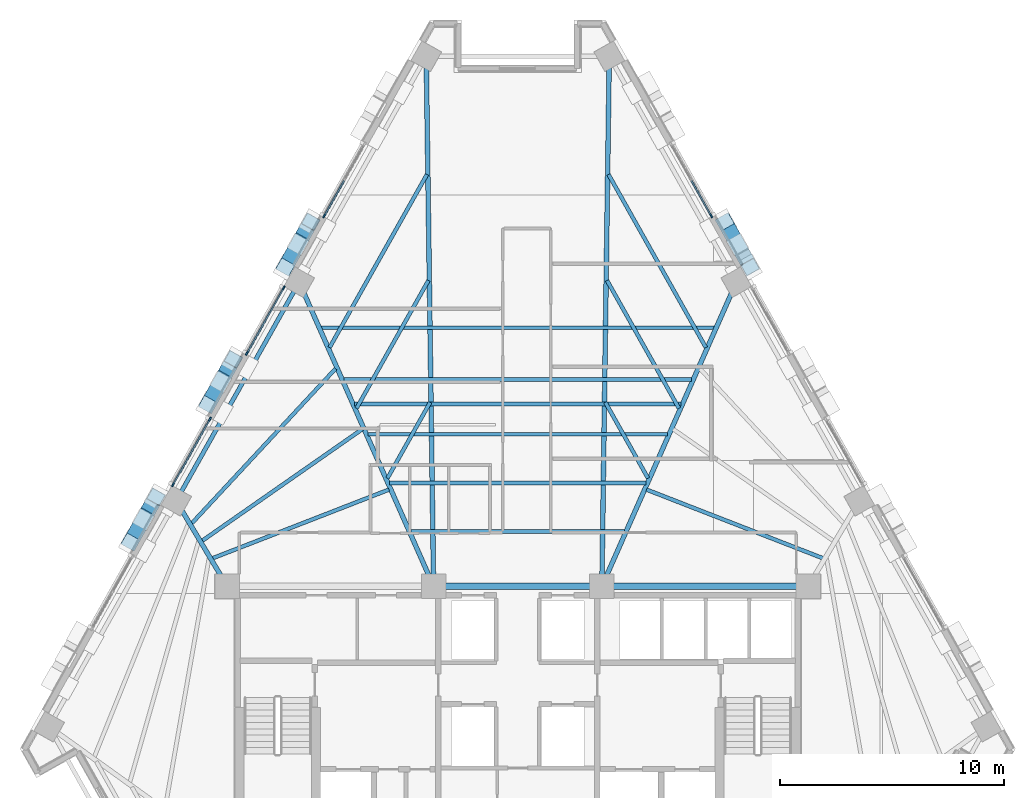
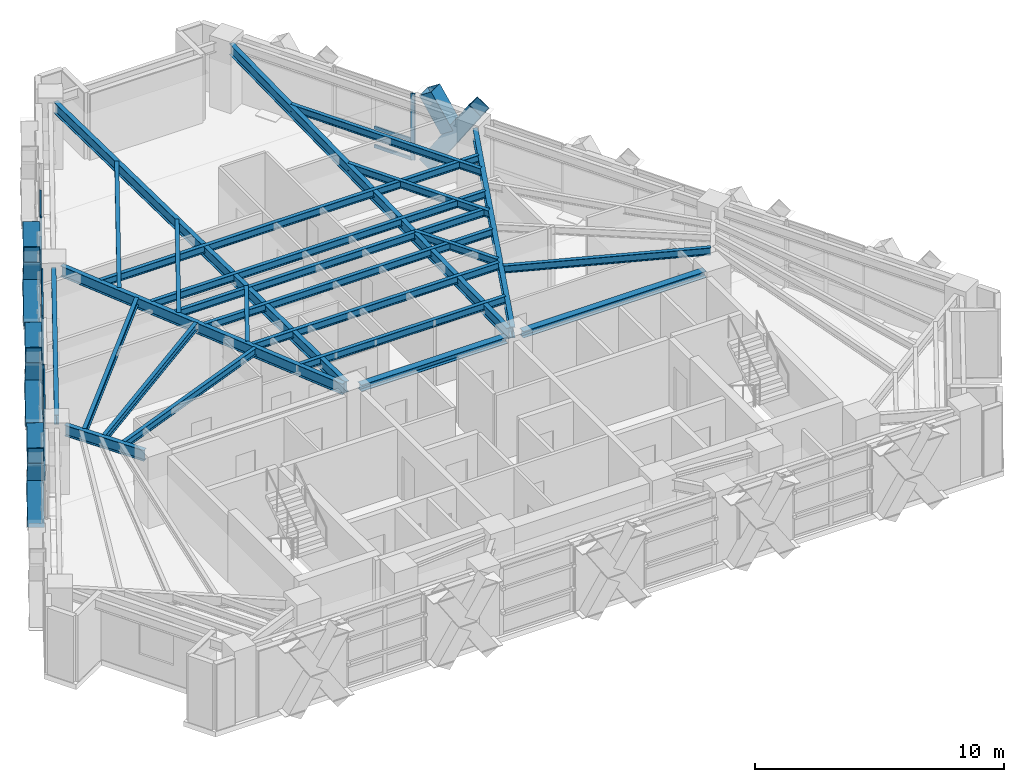
# One storey, part 3 of 14: 28 members, 24 beams, 4 elements without a shape of their own.
"""IFC4 building model written with IfcOpenShell, lengths in metres."""

from ifc_helpers import new_model, si_unit, direction, frame, origin, origin_2d, place, context, subcontext, project, spatial, rectangle, hollow_rectangle, i_section, extrude, material, material_profile, profile_set, type_object, element, aggregate, save


model = new_model("IFC4")

# Units and contexts
model_context = context("Model", 3, precision=1e-05, world=origin(), true_north=direction((0.0, 1.0)))
body_context = subcontext(model_context, "Body", "Model", "MODEL_VIEW")
ifc_project = project(units=[si_unit("LENGTHUNIT", "METRE"), si_unit("AREAUNIT", "SQUARE_METRE"), si_unit("VOLUMEUNIT", "CUBIC_METRE"), si_unit("PLANEANGLEUNIT", "RADIAN"), si_unit("MASSUNIT", "GRAM", prefix="KILO")], contexts=[model_context])

# Site, building, storey
site_placement = place(None, origin())
site = spatial("IfcSite", under=ifc_project, at=site_placement, CompositionType="ELEMENT")
building_placement = place(site_placement, origin())
building = spatial("IfcBuilding", under=site, at=building_placement, Name="Quenlor Broadcast Tower", CompositionType="ELEMENT")
storey_placement = place(building_placement, frame((0.0, 0.0, 133.5)))
storey = spatial("IfcBuildingStorey", under=building, at=storey_placement, Name="L36", CompositionType="ELEMENT", Elevation=133.5)

# Curtain wall, member
ifc_material_1 = material(Name="Architectural Terracotta and Low-E Glazing", Category="masonry")
curtain_wall_type = type_object("IfcCurtainWallType", Name="Unitised Terracotta Curtain Wall System Z3", PredefinedType="NOTDEFINED", material=ifc_material_1)
curtain_wall_1_placement = place(storey_placement, origin())
curtain_wall_1 = element("IfcCurtainWall", 1, at=curtain_wall_1_placement, inside=storey, type_object=curtain_wall_type, Name="L36 Curtain Wall CW3 (L36-NEA-G1)", PredefinedType="NOTDEFINED")
ifc_material_2 = material(Name="Aluminium 6063-T6", Category="aluminium")
ifc_material_profile_1 = material_profile(ifc_material_2, rectangle(XDim=0.070068359375, YDim=0.18994140625, at=origin_2d()))
ifc_profile_set_1 = profile_set([ifc_material_profile_1], Name="Aluminium 6063-T6 MULL70x190")
member_type_1 = type_object("IfcMemberType", Name="CW3 Aluminium Mullion MULL_CW3", PredefinedType="MULLION", material=ifc_profile_set_1)
member_1_placement = place(storey_placement, frame((8.62353515625, 11.71240234375, 0.0), z_axis=(0.0, 0.0, 1.0), x_axis=(0.871570530637, 0.490270139949, 0.0)))
member_1 = element("IfcMember", 2, at=member_1_placement, type_object=member_type_1, Name="CW3 mullion 3", PredefinedType="MULLION", context=body_context, shape_type="SweptSolid", body=[
    extrude(rectangle(XDim=0.070068359375, YDim=0.18994140625, at=origin_2d()), origin(), (0.0, 0.0, 1.0), 3.25),
])

curtain_wall_2_placement = place(storey_placement, origin())
curtain_wall_2 = element("IfcCurtainWall", 3, at=curtain_wall_2_placement, inside=storey, type_object=curtain_wall_type, Name="L36 Curtain Wall CW3 (L36-NWC-G1)", PredefinedType="NOTDEFINED")
member_2_placement = place(storey_placement, frame((-8.62353515625, 11.71240234375, 0.0), z_axis=(0.0, 0.0, 1.0), x_axis=(-0.871570530637, 0.490270139949, 0.0)))
member_2 = element("IfcMember", 4, at=member_2_placement, type_object=member_type_1, Name="CW3 mullion 1", PredefinedType="MULLION", context=body_context, shape_type="SweptSolid", body=[
    extrude(rectangle(XDim=0.070068359375, YDim=0.18994140625, at=origin_2d()), origin(), (0.0, 0.0, 1.0), 3.25),
])

# Curtain wall, members
curtain_wall_3_placement = place(storey_placement, origin())
curtain_wall_3 = element("IfcCurtainWall", 5, at=curtain_wall_3_placement, inside=storey, type_object=curtain_wall_type, Name="L36 Curtain Wall CW3 (L36-NW-G1)", PredefinedType="NOTDEFINED")
member_3_placement = place(storey_placement, frame((-15.365966796875, -0.274169921875, 0.0), z_axis=(0.0, 0.0, 1.0), x_axis=(-0.871571633105, 0.490268180048, 0.0)))
member_3 = element("IfcMember", 6, at=member_3_placement, type_object=member_type_1, Name="CW3 mullion 1", PredefinedType="MULLION", context=body_context, shape_type="SweptSolid", body=[
    extrude(rectangle(XDim=0.070068359375, YDim=0.18994140625, at=origin_2d()), origin(), (0.0, 0.0, 1.0), 3.25),
])
member_4_placement = place(storey_placement, frame((-13.723388671875, 2.64599609375, 0.0), z_axis=(0.0, 0.0, 1.0), x_axis=(-0.871571633105, 0.490268180048, 0.0)))
member_4 = element("IfcMember", 7, at=member_4_placement, type_object=member_type_1, Name="CW3 mullion 2", PredefinedType="MULLION", context=body_context, shape_type="SweptSolid", body=[
    extrude(rectangle(XDim=0.070068359375, YDim=0.18994140625, at=origin_2d()), origin(), (0.0, 0.0, 1.0), 3.25),
])

curtain_wall_4_placement = place(storey_placement, origin())
curtain_wall_4 = element("IfcCurtainWall", 8, at=curtain_wall_4_placement, inside=storey, type_object=curtain_wall_type, Name="L36 Curtain Wall CW3 (L36-NW-G2)", PredefinedType="NOTDEFINED")
member_5_placement = place(storey_placement, frame((-12.071533203125, 5.582275390625, 0.0), z_axis=(0.0, 0.0, 1.0), x_axis=(-0.871578660222, 0.490255687418, 0.0)))
member_5 = element("IfcMember", 9, at=member_5_placement, type_object=member_type_1, Name="CW3 mullion 1", PredefinedType="MULLION", context=body_context, shape_type="SweptSolid", body=[
    extrude(rectangle(XDim=0.070068359375, YDim=0.18994140625, at=origin_2d()), origin(), (0.0, 0.0, 1.0), 3.25),
])
member_6_placement = place(storey_placement, frame((-10.428955078125, 8.50244140625, 0.0), z_axis=(0.0, 0.0, 1.0), x_axis=(-0.871578660222, 0.490255687418, 0.0)))
member_6 = element("IfcMember", 10, at=member_6_placement, type_object=member_type_1, Name="CW3 mullion 2", PredefinedType="MULLION", context=body_context, shape_type="SweptSolid", body=[
    extrude(rectangle(XDim=0.070068359375, YDim=0.18994140625, at=origin_2d()), origin(), (0.0, 0.0, 1.0), 3.25),
])

# Member
ifc_material_3 = material(Name="Aluminium 6063-T6", Category="aluminium")
ifc_material_profile_2 = material_profile(ifc_material_3, rectangle(XDim=0.070068359375, YDim=0.155029296875, at=origin_2d()))
ifc_profile_set_2 = profile_set([ifc_material_profile_2], Name="Aluminium 6063-T6 TRAN70x155")
member_type_2 = type_object("IfcMemberType", Name="CW3 Aluminium Transom TRAN_CW3", PredefinedType="USERDEFINED", material=ifc_profile_set_2)
member_7_placement = place(storey_placement, frame((7.742431640625, 13.278564453125, 0.034912109375), z_axis=(0.490353334151, -0.871523727553, 0.0), x_axis=(0.871523727553, 0.490353334151, 0.0)))
member_7 = element("IfcMember", 11, at=member_7_placement, type_object=member_type_2, Name="CW3 transom 2.1", ObjectType="TRANSOM", PredefinedType="USERDEFINED", context=body_context, shape_type="SweptSolid", body=[
    extrude(rectangle(XDim=0.070068359375, YDim=0.155029296875, at=origin_2d()), origin(), (0.0, 0.0, 1.0), 1.761962890625),
])

member_8_placement = place(storey_placement, frame((7.742431640625, 13.278564453125, 0.949951171875), z_axis=(0.490353334151, -0.871523727553, 0.0), x_axis=(0.871523727553, 0.490353334151, 0.0)))
member_8 = element("IfcMember", 12, at=member_8_placement, type_object=member_type_2, Name="CW3 transom 2.2", ObjectType="TRANSOM", PredefinedType="USERDEFINED", context=body_context, shape_type="SweptSolid", body=[
    extrude(rectangle(XDim=0.070068359375, YDim=0.155029296875, at=origin_2d()), origin(), (0.0, 0.0, 1.0), 1.761962890625),
])

aggregate(curtain_wall_1, [member_1, member_7, member_8])

member_9_placement = place(storey_placement, frame((-8.6064453125, 11.742919921875, 0.034912109375), z_axis=(0.490353334151, 0.871523727553, 0.0), x_axis=(-0.871523727553, 0.490353334151, 0.0)))
member_9 = element("IfcMember", 13, at=member_9_placement, type_object=member_type_2, Name="CW3 transom 1.1", ObjectType="TRANSOM", PredefinedType="USERDEFINED", context=body_context, shape_type="SweptSolid", body=[
    extrude(rectangle(XDim=0.070068359375, YDim=0.155029296875, at=origin_2d()), origin(), (0.0, 0.0, 1.0), 1.761962890625),
])

member_10_placement = place(storey_placement, frame((-8.6064453125, 11.742919921875, 0.949951171875), z_axis=(0.490353334151, 0.871523727553, 0.0), x_axis=(-0.871523727553, 0.490353334151, 0.0)))
member_10 = element("IfcMember", 14, at=member_10_placement, type_object=member_type_2, Name="CW3 transom 1.2", ObjectType="TRANSOM", PredefinedType="USERDEFINED", context=body_context, shape_type="SweptSolid", body=[
    extrude(rectangle(XDim=0.070068359375, YDim=0.155029296875, at=origin_2d()), origin(), (0.0, 0.0, 1.0), 1.761962890625),
])

member_11_placement = place(storey_placement, frame((-8.6064453125, 11.742919921875, 3.215087890625), z_axis=(0.490353334151, 0.871523727553, 0.0), x_axis=(-0.871523727553, 0.490353334151, 0.0)))
member_11 = element("IfcMember", 15, at=member_11_placement, type_object=member_type_2, Name="CW3 transom 1.3", ObjectType="TRANSOM", PredefinedType="USERDEFINED", context=body_context, shape_type="SweptSolid", body=[
    extrude(rectangle(XDim=0.070068359375, YDim=0.155029296875, at=origin_2d()), origin(), (0.0, 0.0, 1.0), 1.761962890625),
])

aggregate(curtain_wall_2, [member_2, member_9, member_10, member_11])

member_12_placement = place(storey_placement, frame((-15.348876953125, -0.24365234375, 0.034912109375), z_axis=(0.490293039863, 0.871557648731, 0.0), x_axis=(-0.871557648731, 0.490293039863, 0.0)))
member_12 = element("IfcMember", 16, at=member_12_placement, type_object=member_type_2, Name="CW3 transom 1.1", ObjectType="TRANSOM", PredefinedType="USERDEFINED", context=body_context, shape_type="SweptSolid", body=[
    extrude(rectangle(XDim=0.070068359375, YDim=0.155029296875, at=origin_2d()), origin(), (0.0, 0.0, 1.0), 3.280517578125),
])

member_13_placement = place(storey_placement, frame((-15.348876953125, -0.24365234375, 0.949951171875), z_axis=(0.490293039863, 0.871557648731, 0.0), x_axis=(-0.871557648731, 0.490293039863, 0.0)))
member_13 = element("IfcMember", 17, at=member_13_placement, type_object=member_type_2, Name="CW3 transom 1.2", ObjectType="TRANSOM", PredefinedType="USERDEFINED", context=body_context, shape_type="SweptSolid", body=[
    extrude(rectangle(XDim=0.070068359375, YDim=0.155029296875, at=origin_2d()), origin(), (0.0, 0.0, 1.0), 3.280517578125),
])

member_14_placement = place(storey_placement, frame((-15.348876953125, -0.24365234375, 3.215087890625), z_axis=(0.490293039863, 0.871557648731, 0.0), x_axis=(-0.871557648731, 0.490293039863, 0.0)))
member_14 = element("IfcMember", 18, at=member_14_placement, type_object=member_type_2, Name="CW3 transom 1.3", ObjectType="TRANSOM", PredefinedType="USERDEFINED", context=body_context, shape_type="SweptSolid", body=[
    extrude(rectangle(XDim=0.070068359375, YDim=0.155029296875, at=origin_2d()), origin(), (0.0, 0.0, 1.0), 3.280517578125),
])

aggregate(curtain_wall_3, [member_3, member_4, member_12, member_13, member_14])

member_15_placement = place(storey_placement, frame((-12.054443359375, 5.61279296875, 0.034912109375), z_axis=(0.490236504766, 0.871589450025, 0.0), x_axis=(-0.871589450025, 0.490236504766, 0.0)))
member_15 = element("IfcMember", 19, at=member_15_placement, type_object=member_type_2, Name="CW3 transom 1.1", ObjectType="TRANSOM", PredefinedType="USERDEFINED", context=body_context, shape_type="SweptSolid", body=[
    extrude(rectangle(XDim=0.070068359375, YDim=0.155029296875, at=origin_2d()), origin(), (0.0, 0.0, 1.0), 3.2802734375),
])

member_16_placement = place(storey_placement, frame((-12.054443359375, 5.61279296875, 0.949951171875), z_axis=(0.490236504766, 0.871589450025, 0.0), x_axis=(-0.871589450025, 0.490236504766, 0.0)))
member_16 = element("IfcMember", 20, at=member_16_placement, type_object=member_type_2, Name="CW3 transom 1.2", ObjectType="TRANSOM", PredefinedType="USERDEFINED", context=body_context, shape_type="SweptSolid", body=[
    extrude(rectangle(XDim=0.070068359375, YDim=0.155029296875, at=origin_2d()), origin(), (0.0, 0.0, 1.0), 3.2802734375),
])

member_17_placement = place(storey_placement, frame((-12.054443359375, 5.61279296875, 3.215087890625), z_axis=(0.490236504766, 0.871589450025, 0.0), x_axis=(-0.871589450025, 0.490236504766, 0.0)))
member_17 = element("IfcMember", 21, at=member_17_placement, type_object=member_type_2, Name="CW3 transom 1.3", ObjectType="TRANSOM", PredefinedType="USERDEFINED", context=body_context, shape_type="SweptSolid", body=[
    extrude(rectangle(XDim=0.070068359375, YDim=0.155029296875, at=origin_2d()), origin(), (0.0, 0.0, 1.0), 3.2802734375),
])

aggregate(curtain_wall_4, [member_5, member_6, member_15, member_16, member_17])

# Beams
ifc_material_4 = material(Name="Steel S355", Category="steel")
ifc_material_profile_3 = material_profile(ifc_material_4, i_section(OverallWidth=0.304931640625, OverallDepth=0.30810546875, WebThickness=0.010009765625, FlangeThickness=0.015380859375, FilletRadius=0.0166015625, at=origin_2d()))
ifc_profile_set_3 = profile_set([ifc_material_profile_3], Name="Steel S355 310UC96.8")
beam_type_1 = type_object("IfcBeamType", Name="Core Header Beam Steel S355 310UC96.8", PredefinedType="BEAM", material=ifc_profile_set_3)
beam_1_placement = place(storey_placement, frame((-3.389892578125, -4.800048828125, 3.095947265625), z_axis=(1.0, 0.0, 0.0), x_axis=(0.0, 1.0, 0.0)))
element("IfcBeam", 22, at=beam_1_placement, inside=storey, type_object=beam_type_1, Name="L36 Core Header Beam 2", PredefinedType="BEAM", context=body_context, shape_type="SweptSolid", body=[
    extrude(i_section(OverallWidth=0.304931640625, OverallDepth=0.30810546875, WebThickness=0.010009765625, FlangeThickness=0.015380859375, FilletRadius=0.0166015625, at=origin_2d()), origin(), (0.0, 0.0, 1.0), 6.77978515625),
])
ifc_material_5 = material(Name="Steel S355", Category="steel")
ifc_material_profile_4 = material_profile(ifc_material_5, i_section(OverallWidth=0.306884765625, OverallDepth=0.314697265625, WebThickness=0.011962890625, FlangeThickness=0.018798828125, FilletRadius=0.0166015625, at=origin_2d()))
ifc_profile_set_4 = profile_set([ifc_material_profile_4], Name="Steel S355 310UC118")
beam_type_2 = type_object("IfcBeamType", Name="Core Tie Beam Steel S355 310UC118", PredefinedType="BEAM", material=ifc_profile_set_4)
beam_2_placement = place(storey_placement, frame((4.110107421875, -4.800048828125, 3.0927734375), z_axis=(1.0, 0.0, 0.0), x_axis=(0.0, 1.0, 0.0)))
element("IfcBeam", 23, at=beam_2_placement, inside=storey, type_object=beam_type_2, Name="L36 Core Tie Beam 3", PredefinedType="BEAM", context=body_context, shape_type="SweptSolid", body=[
    extrude(i_section(OverallWidth=0.306884765625, OverallDepth=0.314697265625, WebThickness=0.011962890625, FlangeThickness=0.018798828125, FilletRadius=0.0166015625, at=origin_2d()), origin(), (0.0, 0.0, 1.0), 8.47998046875),
])

# Members
ifc_material_6 = material(Name="Steel S355", Category="steel")
ifc_material_profile_5 = material_profile(ifc_material_6, hollow_rectangle(XDim=0.679931640625, YDim=0.679931640625, WallThickness=0.02490234375, at=origin_2d()))
ifc_profile_set_5 = profile_set([ifc_material_profile_5], Name="Steel S355 RHS680x680x25")
member_type_3 = type_object("IfcMemberType", Name="Perimeter Diagonal Lattice Brace Z3-Z4 Steel S355 RHS680x25", PredefinedType="BRACE", material=ifc_profile_set_5)
member_18_placement = place(storey_placement, frame((9.225830078125, 11.447265625, -0.1201171875), z_axis=(0.27060310517, -0.481001091283, 0.833913610428), x_axis=(0.871544572467, 0.490316283845, 0.0)))
element("IfcMember", 24, at=member_18_placement, inside=storey, type_object=member_type_3, Name="L36 Perimeter Diamond Lattice NE-C2XA", PredefinedType="BRACE", context=body_context, shape_type="SweptSolid", body=[
    extrude(hollow_rectangle(XDim=0.679931640625, YDim=0.679931640625, WallThickness=0.02490234375, at=origin_2d()), origin(), (0.0, 0.0, 1.0), 4.197021484375),
])
member_19_placement = place(storey_placement, frame((9.72607421875, 10.55810546875, 1.83837890625), z_axis=(-0.270616433058, 0.481007832697, 0.833905396938), x_axis=(-0.871537189362, -0.490329407194, 0.0)))
element("IfcMember", 25, at=member_19_placement, inside=storey, type_object=member_type_3, Name="L36 Perimeter Diamond Lattice NE-C2XB2", PredefinedType="BRACE", context=body_context, shape_type="SweptSolid", body=[
    extrude(hollow_rectangle(XDim=0.679931640625, YDim=0.679931640625, WallThickness=0.02490234375, at=origin_2d()), origin(), (0.0, 0.0, 1.0), 1.8486328125),
])
member_20_placement = place(storey_placement, frame((-17.257568359375, -2.83154296875, -0.1201171875), z_axis=(0.2705491942, 0.481008661973, 0.833926735766), x_axis=(-0.871589611547, 0.490236217596, 0.0)))
element("IfcMember", 26, at=member_20_placement, inside=storey, type_object=member_type_3, Name="L36 Perimeter Diamond Lattice NW-C2XA", PredefinedType="BRACE", context=body_context, shape_type="SweptSolid", body=[
    extrude(hollow_rectangle(XDim=0.679931640625, YDim=0.679931640625, WallThickness=0.02490234375, at=origin_2d()), origin(), (0.0, 0.0, 1.0), 4.197021484375),
])
member_21_placement = place(storey_placement, frame((-16.1220703125, -0.812744140625, -0.1201171875), z_axis=(-0.270616433058, -0.481007832697, 0.833905396938), x_axis=(0.871537189362, -0.490329407194, 0.0)))
element("IfcMember", 27, at=member_21_placement, inside=storey, type_object=member_type_3, Name="L36 Perimeter Diamond Lattice NW-C2XB1", PredefinedType="BRACE", context=body_context, shape_type="SweptSolid", body=[
    extrude(hollow_rectangle(XDim=0.679931640625, YDim=0.679931640625, WallThickness=0.02490234375, at=origin_2d()), origin(), (0.0, 0.0, 1.0), 1.8486328125),
])
member_22_placement = place(storey_placement, frame((-16.757568359375, -1.9423828125, 1.83837890625), z_axis=(-0.270494026149, -0.481025021111, 0.833935195853), x_axis=(0.871639445711, -0.490147607034, 0.0)))
element("IfcMember", 28, at=member_22_placement, inside=storey, type_object=member_type_3, Name="L36 Perimeter Diamond Lattice NW-C2XB2", PredefinedType="BRACE", context=body_context, shape_type="SweptSolid", body=[
    extrude(hollow_rectangle(XDim=0.679931640625, YDim=0.679931640625, WallThickness=0.02490234375, at=origin_2d()), origin(), (0.0, 0.0, 1.0), 1.848388671875),
])
member_23_placement = place(storey_placement, frame((-13.8095703125, 3.298583984375, -0.1201171875), z_axis=(0.270556764115, 0.480963948764, 0.833950068878), x_axis=(-0.871564276035, 0.49028125881, 0.0)))
element("IfcMember", 29, at=member_23_placement, inside=storey, type_object=member_type_3, Name="L36 Perimeter Diamond Lattice NW-C3XA", PredefinedType="BRACE", context=body_context, shape_type="SweptSolid", body=[
    extrude(hollow_rectangle(XDim=0.679931640625, YDim=0.679931640625, WallThickness=0.02490234375, at=origin_2d()), origin(), (0.0, 0.0, 1.0), 4.19677734375),
])
member_24_placement = place(storey_placement, frame((-12.674072265625, 5.317138671875, -0.1201171875), z_axis=(-0.270616433058, -0.481007832697, 0.833905396938), x_axis=(0.871537189362, -0.490329407194, 0.0)))
element("IfcMember", 30, at=member_24_placement, inside=storey, type_object=member_type_3, Name="L36 Perimeter Diamond Lattice NW-C3XB1", PredefinedType="BRACE", context=body_context, shape_type="SweptSolid", body=[
    extrude(hollow_rectangle(XDim=0.679931640625, YDim=0.679931640625, WallThickness=0.02490234375, at=origin_2d()), origin(), (0.0, 0.0, 1.0), 1.8486328125),
])
member_25_placement = place(storey_placement, frame((-13.309326171875, 4.1875, 1.83837890625), z_axis=(-0.270633624024, -0.480906307989, 0.833958370954), x_axis=(0.871479637717, -0.49043168846, 0.0)))
element("IfcMember", 31, at=member_25_placement, inside=storey, type_object=member_type_3, Name="L36 Perimeter Diamond Lattice NW-C3XB2", PredefinedType="BRACE", context=body_context, shape_type="SweptSolid", body=[
    extrude(hollow_rectangle(XDim=0.679931640625, YDim=0.679931640625, WallThickness=0.02490234375, at=origin_2d()), origin(), (0.0, 0.0, 1.0), 1.848388671875),
])
member_26_placement = place(storey_placement, frame((-10.361572265625, 9.428466796875, -0.1201171875), z_axis=(0.27060310517, 0.481001091283, 0.833913610428), x_axis=(-0.871544572467, 0.490316283845, 0.0)))
element("IfcMember", 32, at=member_26_placement, inside=storey, type_object=member_type_3, Name="L36 Perimeter Diamond Lattice NW-C4XA", PredefinedType="BRACE", context=body_context, shape_type="SweptSolid", body=[
    extrude(hollow_rectangle(XDim=0.679931640625, YDim=0.679931640625, WallThickness=0.02490234375, at=origin_2d()), origin(), (0.0, 0.0, 1.0), 4.197021484375),
])
member_27_placement = place(storey_placement, frame((-9.225830078125, 11.447265625, -0.1201171875), z_axis=(-0.270616433058, -0.481007832697, 0.833905396938), x_axis=(0.871537189362, -0.490329407194, 0.0)))
element("IfcMember", 33, at=member_27_placement, inside=storey, type_object=member_type_3, Name="L36 Perimeter Diamond Lattice NW-C4XB1", PredefinedType="BRACE", context=body_context, shape_type="SweptSolid", body=[
    extrude(hollow_rectangle(XDim=0.679931640625, YDim=0.679931640625, WallThickness=0.02490234375, at=origin_2d()), origin(), (0.0, 0.0, 1.0), 1.8486328125),
])
member_28_placement = place(storey_placement, frame((-9.861328125, 10.3173828125, 1.83837890625), z_axis=(-0.270633624024, -0.480906307989, 0.833958370954), x_axis=(0.871479637717, -0.49043168846, 0.0)))
element("IfcMember", 34, at=member_28_placement, inside=storey, type_object=member_type_3, Name="L36 Perimeter Diamond Lattice NW-C4XB2", PredefinedType="BRACE", context=body_context, shape_type="SweptSolid", body=[
    extrude(hollow_rectangle(XDim=0.679931640625, YDim=0.679931640625, WallThickness=0.02490234375, at=origin_2d()), origin(), (0.0, 0.0, 1.0), 1.848388671875),
])

# Beams
ifc_material_7 = material(Name="Steel S355", Category="steel")
ifc_material_profile_6 = material_profile(ifc_material_7, i_section(OverallWidth=0.19091796875, OverallDepth=0.46044921875, WebThickness=0.010009765625, FlangeThickness=0.01611328125, FilletRadius=0.011474609375, at=origin_2d()))
ifc_profile_set_6 = profile_set([ifc_material_profile_6], Name="Steel S355 460UB82.1")
beam_type_3 = type_object("IfcBeamType", Name="Perimeter Spandrel Beam Z3 Steel S355 460UB82.1", PredefinedType="SPANDREL", material=ifc_profile_set_6)
beam_3_placement = place(storey_placement, frame((-9.944091796875, 8.39599609375, 3.019775390625), z_axis=(-0.490252288562, -0.871580572041, 0.0), x_axis=(0.871580572041, -0.490252288562, 0.0)))
element("IfcBeam", 35, at=beam_3_placement, inside=storey, type_object=beam_type_3, Name="L36 Spandrel Beam NW2-NW3", PredefinedType="SPANDREL", context=body_context, shape_type="SweptSolid", body=[
    extrude(i_section(OverallWidth=0.19091796875, OverallDepth=0.46044921875, WebThickness=0.010009765625, FlangeThickness=0.01611328125, FilletRadius=0.011474609375, at=origin_2d()), origin(), (0.0, 0.0, 1.0), 10.359619140625),
])
ifc_material_8 = material(Name="Steel S355", Category="steel")
ifc_material_profile_7 = material_profile(ifc_material_8, i_section(OverallWidth=0.172119140625, OverallDepth=0.358642578125, WebThickness=0.008056640625, FlangeThickness=0.012939453125, FilletRadius=0.011474609375, at=origin_2d()))
ifc_profile_set_7 = profile_set([ifc_material_profile_7], Name="Steel S355 360UB56.7")
beam_type_4 = type_object("IfcBeamType", Name="Tower Composite Joist Z2-Z3 Steel S355 360UB56.7", PredefinedType="JOIST", material=ifc_profile_set_7)
beam_4_placement = place(storey_placement, frame((-4.748779296875, -2.3603515625, 3.07080078125), z_axis=(1.0, 0.0, 0.0), x_axis=(0.0, 1.0, 0.0)))
element("IfcBeam", 36, at=beam_4_placement, inside=storey, type_object=beam_type_4, Name="L36 Secondary Composite Joist 1", PredefinedType="JOIST", context=body_context, shape_type="SweptSolid", body=[
    extrude(i_section(OverallWidth=0.172119140625, OverallDepth=0.358642578125, WebThickness=0.008056640625, FlangeThickness=0.012939453125, FilletRadius=0.011474609375, at=origin_2d()), origin(), (0.0, 0.0, 1.0), 9.49755859375),
])
beam_5_placement = place(storey_placement, frame((-7.265869140625, 3.33203125, 3.07080078125), z_axis=(1.0, 0.0, 0.0), x_axis=(0.0, 1.0, 0.0)))
element("IfcBeam", 37, at=beam_5_placement, inside=storey, type_object=beam_type_4, Name="L36 Secondary Composite Joist 2", PredefinedType="JOIST", context=body_context, shape_type="SweptSolid", body=[
    extrude(i_section(OverallWidth=0.172119140625, OverallDepth=0.358642578125, WebThickness=0.008056640625, FlangeThickness=0.012939453125, FilletRadius=0.011474609375, at=origin_2d()), origin(), (0.0, 0.0, 1.0), 14.53173828125),
])
beam_6_placement = place(storey_placement, frame((-5.70751953125, -0.19189453125, 3.07080078125), z_axis=(1.0, 0.0, 0.0), x_axis=(0.0, 1.0, 0.0)))
element("IfcBeam", 38, at=beam_6_placement, inside=storey, type_object=beam_type_4, Name="L36 Secondary Composite Joist 3", PredefinedType="JOIST", context=body_context, shape_type="SweptSolid", body=[
    extrude(i_section(OverallWidth=0.172119140625, OverallDepth=0.358642578125, WebThickness=0.008056640625, FlangeThickness=0.012939453125, FilletRadius=0.011474609375, at=origin_2d()), origin(), (0.0, 0.0, 1.0), 11.4150390625),
])
beam_7_placement = place(storey_placement, frame((-6.66650390625, 1.976806640625, 3.07080078125), z_axis=(1.0, 0.0, 0.0), x_axis=(0.0, 1.0, 0.0)))
element("IfcBeam", 39, at=beam_7_placement, inside=storey, type_object=beam_type_4, Name="L36 Secondary Composite Joist 4", PredefinedType="JOIST", context=body_context, shape_type="SweptSolid", body=[
    extrude(i_section(OverallWidth=0.172119140625, OverallDepth=0.358642578125, WebThickness=0.008056640625, FlangeThickness=0.012939453125, FilletRadius=0.011474609375, at=origin_2d()), origin(), (0.0, 0.0, 1.0), 13.3330078125),
])
beam_8_placement = place(storey_placement, frame((-7.7451171875, 4.416259765625, 3.07080078125), z_axis=(1.0, 0.0, 0.0), x_axis=(0.0, 1.0, 0.0)))
element("IfcBeam", 40, at=beam_8_placement, inside=storey, type_object=beam_type_4, Name="L36 Secondary Composite Joist 5", PredefinedType="JOIST", context=body_context, shape_type="SweptSolid", body=[
    extrude(i_section(OverallWidth=0.172119140625, OverallDepth=0.358642578125, WebThickness=0.008056640625, FlangeThickness=0.012939453125, FilletRadius=0.011474609375, at=origin_2d()), origin(), (0.0, 0.0, 1.0), 15.490234375),
])
beam_9_placement = place(storey_placement, frame((-8.763916015625, 6.72021484375, 3.07080078125), z_axis=(1.0, 0.0, 0.0), x_axis=(0.0, 1.0, 0.0)))
element("IfcBeam", 41, at=beam_9_placement, inside=storey, type_object=beam_type_4, Name="L36 Secondary Composite Joist 6", PredefinedType="JOIST", context=body_context, shape_type="SweptSolid", body=[
    extrude(i_section(OverallWidth=0.172119140625, OverallDepth=0.358642578125, WebThickness=0.008056640625, FlangeThickness=0.012939453125, FilletRadius=0.011474609375, at=origin_2d()), origin(), (0.0, 0.0, 1.0), 17.52783203125),
])
beam_10_placement = place(storey_placement, frame((-13.60302734375, -3.552001953125, 3.07080078125), z_axis=(0.931881865797, 0.362761889121, 0.0), x_axis=(-0.362761889121, 0.931881865797, 0.0)))
element("IfcBeam", 42, at=beam_10_placement, inside=storey, type_object=beam_type_4, Name="L36 Secondary Composite Joist 7", PredefinedType="JOIST", context=body_context, shape_type="SweptSolid", body=[
    extrude(i_section(OverallWidth=0.172119140625, OverallDepth=0.358642578125, WebThickness=0.008056640625, FlangeThickness=0.012939453125, FilletRadius=0.011474609375, at=origin_2d()), origin(), (0.0, 0.0, 1.0), 8.435546875),
])
beam_11_placement = place(storey_placement, frame((-14.06689453125, -2.7734375, 3.07080078125), z_axis=(0.82026568394, 0.57198269882, 0.0), x_axis=(-0.57198269882, 0.82026568394, 0.0)))
element("IfcBeam", 43, at=beam_11_placement, inside=storey, type_object=beam_type_4, Name="L36 Secondary Composite Joist 8", PredefinedType="JOIST", context=body_context, shape_type="SweptSolid", body=[
    extrude(i_section(OverallWidth=0.172119140625, OverallDepth=0.358642578125, WebThickness=0.008056640625, FlangeThickness=0.012939453125, FilletRadius=0.011474609375, at=origin_2d()), origin(), (0.0, 0.0, 1.0), 8.698486328125),
])
beam_12_placement = place(storey_placement, frame((-14.53271484375, -1.998779296875, 3.07080078125), z_axis=(0.680873505991, 0.732401030065, 0.0), x_axis=(-0.732401030065, 0.680873505991, 0.0)))
element("IfcBeam", 44, at=beam_12_placement, inside=storey, type_object=beam_type_4, Name="L36 Secondary Composite Joist 9", PredefinedType="JOIST", context=body_context, shape_type="SweptSolid", body=[
    extrude(i_section(OverallWidth=0.172119140625, OverallDepth=0.358642578125, WebThickness=0.008056640625, FlangeThickness=0.012939453125, FilletRadius=0.011474609375, at=origin_2d()), origin(), (0.0, 0.0, 1.0), 9.419189453125),
])
beam_13_placement = place(storey_placement, frame((13.60302734375, -3.552001953125, 3.07080078125), z_axis=(-0.931881865797, 0.362761889121, 0.0), x_axis=(-0.362761889121, -0.931881865797, 0.0)))
element("IfcBeam", 45, at=beam_13_placement, inside=storey, type_object=beam_type_4, Name="L36 Secondary Composite Joist 10", PredefinedType="JOIST", context=body_context, shape_type="SweptSolid", body=[
    extrude(i_section(OverallWidth=0.172119140625, OverallDepth=0.358642578125, WebThickness=0.008056640625, FlangeThickness=0.012939453125, FilletRadius=0.011474609375, at=origin_2d()), origin(), (0.0, 0.0, 1.0), 8.435546875),
])
beam_14_placement = place(storey_placement, frame((-3.904541015625, 3.39794921875, 3.07080078125), z_axis=(-0.49026422458, -0.871573858085, 0.0), x_axis=(0.871573858085, -0.49026422458, 0.0)))
element("IfcBeam", 46, at=beam_14_placement, inside=storey, type_object=beam_type_4, Name="L36 Secondary Composite Joist 25", PredefinedType="JOIST", context=body_context, shape_type="SweptSolid", body=[
    extrude(i_section(OverallWidth=0.172119140625, OverallDepth=0.358642578125, WebThickness=0.008056640625, FlangeThickness=0.012939453125, FilletRadius=0.011474609375, at=origin_2d()), origin(), (0.0, 0.0, 1.0), 3.88330078125),
])
beam_15_placement = place(storey_placement, frame((-3.980224609375, 8.8310546875, 3.07080078125), z_axis=(-0.490266556378, -0.871572546434, 0.0), x_axis=(0.871572546434, -0.490266556378, 0.0)))
element("IfcBeam", 47, at=beam_15_placement, inside=storey, type_object=beam_type_4, Name="L36 Secondary Composite Joist 26", PredefinedType="JOIST", context=body_context, shape_type="SweptSolid", body=[
    extrude(i_section(OverallWidth=0.172119140625, OverallDepth=0.358642578125, WebThickness=0.008056640625, FlangeThickness=0.012939453125, FilletRadius=0.011474609375, at=origin_2d()), origin(), (0.0, 0.0, 1.0), 6.54052734375),
])
beam_16_placement = place(storey_placement, frame((-4.046142578125, 13.555419921875, 3.07080078125), z_axis=(-0.490254691431, -0.871579220455, 0.0), x_axis=(0.871579220455, -0.490254691431, 0.0)))
element("IfcBeam", 48, at=beam_16_placement, inside=storey, type_object=beam_type_4, Name="L36 Secondary Composite Joist 27", PredefinedType="JOIST", context=body_context, shape_type="SweptSolid", body=[
    extrude(i_section(OverallWidth=0.172119140625, OverallDepth=0.358642578125, WebThickness=0.008056640625, FlangeThickness=0.012939453125, FilletRadius=0.011474609375, at=origin_2d()), origin(), (0.0, 0.0, 1.0), 8.850830078125),
])
beam_17_placement = place(storey_placement, frame((3.904541015625, 3.39794921875, 3.07080078125), z_axis=(0.49026422458, -0.871573858085, 0.0), x_axis=(0.871573858085, 0.49026422458, 0.0)))
element("IfcBeam", 49, at=beam_17_placement, inside=storey, type_object=beam_type_4, Name="L36 Secondary Composite Joist 28", PredefinedType="JOIST", context=body_context, shape_type="SweptSolid", body=[
    extrude(i_section(OverallWidth=0.172119140625, OverallDepth=0.358642578125, WebThickness=0.008056640625, FlangeThickness=0.012939453125, FilletRadius=0.011474609375, at=origin_2d()), origin(), (0.0, 0.0, 1.0), 3.88330078125),
])
beam_18_placement = place(storey_placement, frame((3.980224609375, 8.8310546875, 3.07080078125), z_axis=(0.490266556378, -0.871572546434, 0.0), x_axis=(0.871572546434, 0.490266556378, 0.0)))
element("IfcBeam", 50, at=beam_18_placement, inside=storey, type_object=beam_type_4, Name="L36 Secondary Composite Joist 29", PredefinedType="JOIST", context=body_context, shape_type="SweptSolid", body=[
    extrude(i_section(OverallWidth=0.172119140625, OverallDepth=0.358642578125, WebThickness=0.008056640625, FlangeThickness=0.012939453125, FilletRadius=0.011474609375, at=origin_2d()), origin(), (0.0, 0.0, 1.0), 6.54052734375),
])
beam_19_placement = place(storey_placement, frame((4.046142578125, 13.555419921875, 3.07080078125), z_axis=(0.490254691431, -0.871579220455, 0.0), x_axis=(0.871579220455, 0.490254691431, 0.0)))
element("IfcBeam", 51, at=beam_19_placement, inside=storey, type_object=beam_type_4, Name="L36 Secondary Composite Joist 30", PredefinedType="JOIST", context=body_context, shape_type="SweptSolid", body=[
    extrude(i_section(OverallWidth=0.172119140625, OverallDepth=0.358642578125, WebThickness=0.008056640625, FlangeThickness=0.012939453125, FilletRadius=0.011474609375, at=origin_2d()), origin(), (0.0, 0.0, 1.0), 8.850830078125),
])
ifc_material_9 = material(Name="Steel S355", Category="steel")
ifc_material_profile_8 = material_profile(ifc_material_9, i_section(OverallWidth=0.208984375, OverallDepth=0.532958984375, WebThickness=0.01025390625, FlangeThickness=0.015625, FilletRadius=0.013916015625, at=origin_2d()))
ifc_profile_set_8 = profile_set([ifc_material_profile_8], Name="Steel S355 530UB92.4")
beam_type_5 = type_object("IfcBeamType", Name="Tower Primary Floor Beam Z3 Steel S355 530UB92.4", PredefinedType="BEAM", material=ifc_profile_set_8)
beam_20_placement = place(storey_placement, frame((9.5771484375, 8.37841796875, 2.9833984375), z_axis=(-0.404397129794, -0.914583490675, 0.0), x_axis=(0.914583490675, -0.404397129794, 0.0)))
element("IfcBeam", 52, at=beam_20_placement, inside=storey, type_object=beam_type_5, Name="L36 Primary Radial Beam NE3", PredefinedType="BEAM", context=body_context, shape_type="SweptSolid", body=[
    extrude(i_section(OverallWidth=0.208984375, OverallDepth=0.532958984375, WebThickness=0.01025390625, FlangeThickness=0.015625, FilletRadius=0.013916015625, at=origin_2d()), origin(), (0.0, 0.0, 1.0), 14.029052734375),
])
for number, where, z_axis, x_axis, name in (
    (53, (4.073486328125, 18.412109375, 2.9833984375), (-0.013931496433, -0.999902951994, 0.0), (0.999902951994, -0.013931496433, 0.0), "L36 Primary Radial Beam NE4"),
    (54, (-4.073486328125, 18.412109375, 2.9833984375), (0.013931496433, -0.999902951994, 0.0), (0.999902951994, 0.013931496433, 0.0), "L36 Primary Radial Beam NW1"),
):
    element("IfcBeam", number, at=place(storey_placement, frame(where, z_axis=z_axis, x_axis=x_axis)), inside=storey, type_object=beam_type_5, Name=name, PredefinedType="BEAM", context=body_context, shape_type="SweptSolid", body=[
        extrude(i_section(OverallWidth=0.208984375, OverallDepth=0.532958984375, WebThickness=0.01025390625, FlangeThickness=0.015625, FilletRadius=0.013916015625, at=origin_2d()), origin(), (0.0, 0.0, 1.0), 22.834228515625),
    ])
beam_21_placement = place(storey_placement, frame((-9.5771484375, 8.37841796875, 2.9833984375), z_axis=(0.404397129794, -0.914583490675, 0.0), x_axis=(0.914583490675, 0.404397129794, 0.0)))
element("IfcBeam", 55, at=beam_21_placement, inside=storey, type_object=beam_type_5, Name="L36 Primary Radial Beam NW2", PredefinedType="BEAM", context=body_context, shape_type="SweptSolid", body=[
    extrude(i_section(OverallWidth=0.208984375, OverallDepth=0.532958984375, WebThickness=0.01025390625, FlangeThickness=0.015625, FilletRadius=0.013916015625, at=origin_2d()), origin(), (0.0, 0.0, 1.0), 14.029052734375),
])
beam_22_placement = place(storey_placement, frame((-15.013916015625, -1.3427734375, 2.9833984375), z_axis=(0.512604023694, -0.858625130597, 0.0), x_axis=(0.858625130597, 0.512604023694, 0.0)))
element("IfcBeam", 56, at=beam_22_placement, inside=storey, type_object=beam_type_5, Name="L36 Primary Radial Beam NW3", PredefinedType="BEAM", context=body_context, shape_type="SweptSolid", body=[
    extrude(i_section(OverallWidth=0.208984375, OverallDepth=0.532958984375, WebThickness=0.01025390625, FlangeThickness=0.015625, FilletRadius=0.013916015625, at=origin_2d()), origin(), (0.0, 0.0, 1.0), 3.646484375),
])

save(model, "model.ifc")
